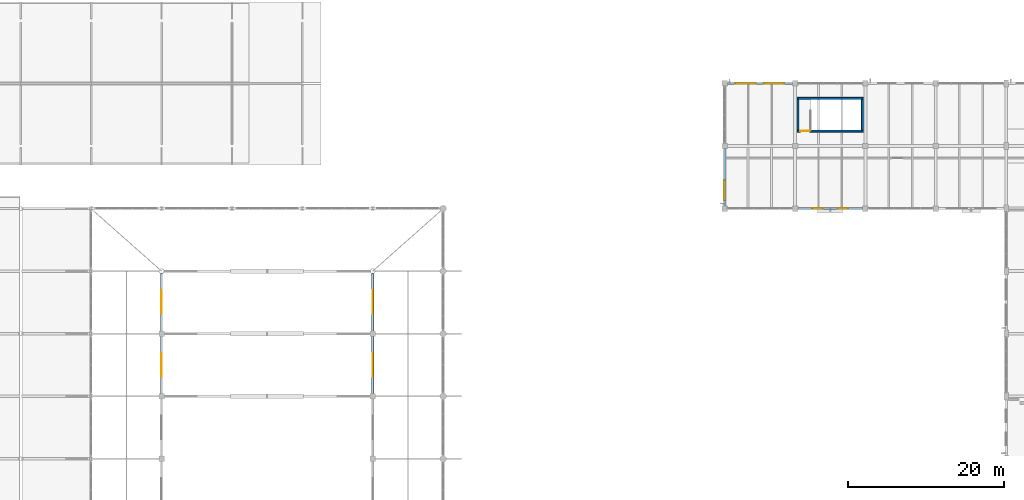
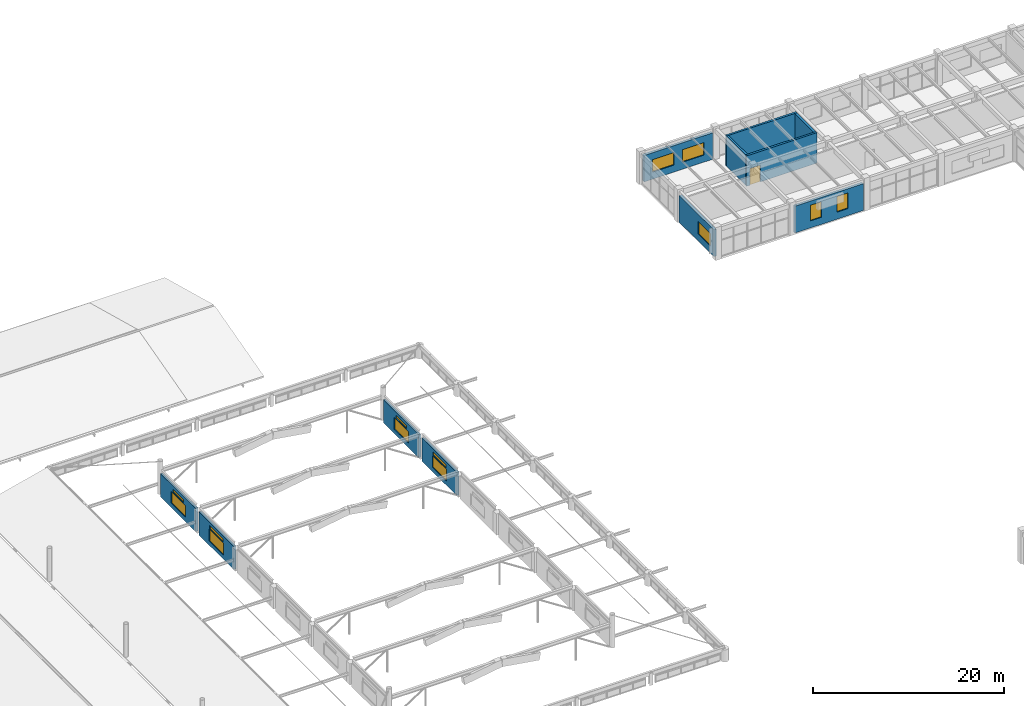
# One storey, part 110 of 128: 13 windows, 11 walls, 1 door, 14 openings.
"""IFC4 building model written with IfcOpenShell, lengths in metres."""

import ifcopenshell
import ifcopenshell.guid

model = None  # the IFC model being written
_history = None  # IfcOwnerHistory: only IFC2X3 demands one
_inside = {}  # id of a spatial element -> (the spatial element, [elements in it])
_under = {}  # id of a project, library or spatial element -> (it, [spatial elements below it])
_declared = {}  # id of a project -> (the project, [libraries it declares])
_typed = {}  # id of a type object -> (the type object, [elements of that type])
_made_of = {}  # id of a material, layer set ... -> (it, [elements and type objects made of it])


def new_model(schema):
    """Start an empty IFC model of exactly this schema.

    Asked for "IFC4X3", IfcOpenShell would pick the latest addendum, in which some entities
    have other attributes; the version numbers below select the first issue.
    IFC2X3 requires an IfcOwnerHistory on every rooted entity: one is made here for all.
    """
    global model, _history
    if schema == "IFC4X3":
        model = ifcopenshell.file(schema_version=(4, 3, 0, 0))
    else:
        model = ifcopenshell.file(schema=schema)
    _inside.clear()
    _under.clear()
    _declared.clear()
    _typed.clear()
    _made_of.clear()
    _history = None
    if model.schema == "IFC2X3":
        org = make("IfcOrganization", Name="unknown")
        user = make(
            "IfcPersonAndOrganization",
            ThePerson=make("IfcPerson", FamilyName="unknown"),
            TheOrganization=org,
        )
        app = make(
            "IfcApplication",
            ApplicationDeveloper=org,
            Version="unknown",
            ApplicationFullName="unknown",
            ApplicationIdentifier="unknown",
        )
        _history = make(
            "IfcOwnerHistory",
            OwningUser=user,
            OwningApplication=app,
            ChangeAction="ADDED",
            CreationDate=0,
        )
    return model


def make(cls, **values):
    """One entity of the class cls with the attributes given. An attribute that is None is left unset."""
    return model.create_entity(
        cls, **{name: value for name, value in values.items() if value is not None}
    )


def rooted(cls, **values):
    """An entity with a GlobalId (a new one), such as an element, a storey or a relation."""
    return make(cls, GlobalId=ifcopenshell.guid.new(), OwnerHistory=_history, **values)


def si_unit(unit_type, name, prefix=None):
    """IfcSIUnit, for example si_unit("LENGTHUNIT", "METRE", prefix="MILLI")."""
    return make("IfcSIUnit", UnitType=unit_type, Prefix=prefix, Name=name)


def derived_unit(unit_type, elements):
    """IfcDerivedUnit: a product of units, each with its exponent."""
    return make(
        "IfcDerivedUnit",
        Elements=[
            make("IfcDerivedUnitElement", Unit=unit, Exponent=power)
            for unit, power in elements
        ],
        UnitType=unit_type,
    )


def assignment(units):
    """IfcUnitAssignment: the units of a project."""
    return None if units is None else make("IfcUnitAssignment", Units=units)


def point(xyz):
    """IfcCartesianPoint."""
    return None if xyz is None else make("IfcCartesianPoint", Coordinates=xyz)


def direction(xyz):
    """IfcDirection."""
    return None if xyz is None else make("IfcDirection", DirectionRatios=xyz)


def frame(location, z_axis=None, x_axis=None):
    """IfcAxis2Placement3D, a coordinate frame: its origin and axes. An axis left out is left unset."""
    return make(
        "IfcAxis2Placement3D",
        Location=point(location),
        Axis=direction(z_axis),
        RefDirection=direction(x_axis),
    )


def frame_2d(location, x_axis=None):
    """IfcAxis2Placement2D, a coordinate frame in the plane: its origin and x axis."""
    return make(
        "IfcAxis2Placement2D", Location=point(location), RefDirection=direction(x_axis)
    )


def origin():
    """The frame at (0, 0, 0) with its axes left unset."""
    return frame((0.0, 0.0, 0.0))


def place(relative_to, where):
    """IfcLocalPlacement: puts the frame where relative to a parent placement (None: the world)."""
    return make(
        "IfcLocalPlacement", PlacementRelTo=relative_to, RelativePlacement=where
    )


def context(
    kind, dimensions, precision=None, world=None, true_north=None, identifier=None
):
    """IfcGeometricRepresentationContext, for example the 3D "Model" context."""
    return make(
        "IfcGeometricRepresentationContext",
        ContextIdentifier=identifier,
        ContextType=kind,
        CoordinateSpaceDimension=dimensions,
        Precision=precision,
        WorldCoordinateSystem=world,
        TrueNorth=true_north,
    )


def subcontext(parent, identifier, kind, view, scale=None):
    """IfcGeometricRepresentationSubContext, for example "Body" below "Model"."""
    return make(
        "IfcGeometricRepresentationSubContext",
        ContextIdentifier=identifier,
        ContextType=kind,
        ParentContext=parent,
        TargetScale=scale,
        TargetView=view,
    )


def project(units=None, contexts=None):
    """IfcProject with its units and contexts."""
    return rooted(
        "IfcProject",
        Name="project",
        RepresentationContexts=contexts,
        UnitsInContext=assignment(units),
    )


def spatial(cls, under=None, at=None, **own):
    """A site, building, storey or space (cls), placed at a placement, below another one or the project."""
    s = rooted(cls, ObjectPlacement=at, **own)
    if under is not None:
        _under.setdefault(under.id(), (under, []))[1].append(s)
    return s


def profile(cls, at=None, kind="AREA", **sizes):
    """A parametric profile (cls). Its sizes go by their IFC names, for example OverallWidth=200.0."""
    return make(cls, ProfileType=kind, Position=at, **sizes)


def rectangle(**sizes):
    """IfcRectangleProfileDef."""
    return profile("IfcRectangleProfileDef", **sizes)


def extrude(swept, where, along, depth):
    """IfcExtrudedAreaSolid: the profile swept, set in the frame where, extruded along a direction by depth."""
    return make(
        "IfcExtrudedAreaSolid",
        SweptArea=swept,
        Position=where,
        ExtrudedDirection=direction(along),
        Depth=depth,
    )


def shape(context_of_items, identifier, shape_type, items):
    """IfcShapeRepresentation: the items that make up one representation, for example the "Body"."""
    return make(
        "IfcShapeRepresentation",
        ContextOfItems=context_of_items,
        RepresentationIdentifier=identifier,
        RepresentationType=shape_type,
        Items=items,
    )


def material(Name=None, Category=None):
    """IfcMaterial."""
    return make("IfcMaterial", Name=Name, Category=Category)


def layer(
    of_material, thickness, ventilated=None, Name=None, Category=None, Priority=None
):
    """IfcMaterialLayer: one layer of a wall or slab, of a material (None: an air gap)."""
    return make(
        "IfcMaterialLayer",
        Material=of_material,
        LayerThickness=thickness,
        IsVentilated=ventilated,
        Name=Name,
        Category=Category,
        Priority=Priority,
    )


def layer_set(layers, Name=None):
    """IfcMaterialLayerSet."""
    return make("IfcMaterialLayerSet", MaterialLayers=layers, LayerSetName=Name)


def made_of(thing, what):
    """Note that an element or type object is made of a material, layer set ...; save() writes the relation."""
    if what is not None:
        _made_of.setdefault(what.id(), (what, []))[1].append(thing)
    return thing


def type_object(cls, material=None, **own):
    """A type object (cls), such as IfcWallType, which elements share."""
    return made_of(rooted(cls, **own), material)


def element(
    cls,
    number,
    at=None,
    inside=None,
    cuts=None,
    type_object=None,
    material=None,
    context=None,
    identifier="Body",
    shape_type=None,
    held_by="IfcProductDefinitionShape",
    body=None,
    shapes=None,
    **own,
):
    """One element of the class cls, such as IfcWall. Its Tag is "e" and its number.

    at: its placement. inside: the storey or other place that contains it. cuts: it is an
    opening in that element (IfcRelVoidsElement). A single representation is given by context,
    identifier, shape_type and body (its items); several are given by shapes. held_by: the class
    of the entity that holds the representations. save() writes the other relations.
    """
    e = rooted(cls, Tag="e%d" % number, ObjectPlacement=at, **own)
    if body is not None:
        shapes = [shape(context, identifier, shape_type, body)]
    if shapes is not None:
        e.Representation = make(held_by, Representations=shapes)
    if inside is not None:
        _inside.setdefault(inside.id(), (inside, []))[1].append(e)
    if cuts is not None:
        rooted(
            "IfcRelVoidsElement", RelatingBuildingElement=cuts, RelatedOpeningElement=e
        )
    if type_object is not None:
        _typed.setdefault(type_object.id(), (type_object, []))[1].append(e)
    return made_of(e, material)


def fill(opening, filler):
    """IfcRelFillsElement: the door or window that sits in an opening."""
    return rooted(
        "IfcRelFillsElement",
        RelatingOpeningElement=opening,
        RelatedBuildingElement=filler,
    )


def aggregate(whole, parts):
    """IfcRelAggregates: a whole, such as a stair, and the parts it consists of."""
    return rooted("IfcRelAggregates", RelatingObject=whole, RelatedObjects=parts)


def save(model, path):
    """Write the relations noted so far, then the file.

    IfcRelAggregates (storeys below a building ...), IfcRelContainedInSpatialStructure (elements
    in a storey), IfcRelDefinesByType, IfcRelAssociatesMaterial and IfcRelDeclares: one each for
    every whole, place, type object, material and project.
    """
    for whole, parts in _under.values():
        aggregate(whole, parts)
    for where, things in _inside.values():
        rooted(
            "IfcRelContainedInSpatialStructure",
            RelatedElements=things,
            RelatingStructure=where,
        )
    for kind, things in _typed.values():
        rooted("IfcRelDefinesByType", RelatedObjects=things, RelatingType=kind)
    for what, things in _made_of.values():
        rooted("IfcRelAssociatesMaterial", RelatedObjects=things, RelatingMaterial=what)
    for by, libraries in _declared.values():
        rooted("IfcRelDeclares", RelatingContext=by, RelatedDefinitions=libraries)
    model.write(path)


model = new_model("IFC4")

# Units and contexts
model_context = context("Model", 3, precision=1e-05, world=origin(), true_north=direction((0.0, 1.0)))
body_context = subcontext(model_context, "Body", "Model", "MODEL_VIEW")
ifc_project = project(units=[si_unit("LENGTHUNIT", "METRE"), si_unit("AREAUNIT", "SQUARE_METRE"), si_unit("VOLUMEUNIT", "CUBIC_METRE"), si_unit("PLANEANGLEUNIT", "RADIAN"), si_unit("MASSUNIT", "GRAM", prefix="KILO"), derived_unit("THERMALTRANSMITTANCEUNIT", [(si_unit("MASSUNIT", "GRAM", prefix="KILO"), 1), (si_unit("TIMEUNIT", "SECOND"), -3), (si_unit("THERMODYNAMICTEMPERATUREUNIT", "KELVIN"), -1)])], contexts=[model_context])

# Site, building, storey
site_placement = place(None, origin())
site = spatial("IfcSite", under=ifc_project, at=site_placement, CompositionType="ELEMENT")
building_placement = place(site_placement, origin())
building = spatial("IfcBuilding", under=site, at=building_placement, Name="Zhenchuan Archway Interchange", CompositionType="ELEMENT")
storey_placement = place(building_placement, frame((0.0, 0.0, 14.39990234375)))
storey = spatial("IfcBuildingStorey", under=building, at=storey_placement, Name="L03", CompositionType="ELEMENT", Elevation=14.39990234375)

# Wall, openings, windows
ifc_material_1 = material(Name="Autoclaved Aerated Concrete Block", Category="concrete")
ifc_layer_1 = layer(ifc_material_1, 0.260009765625)
ifc_layer_set_1 = layer_set([ifc_layer_1], Name="Autoclaved Aerated Concrete Block")
wall_type_1 = type_object("IfcWallType", Name="EW_CLER_260", PredefinedType="STANDARD", material=ifc_layer_set_1)
wall_1_placement = place(storey_placement, frame((36.0, 64.347900390625, -0.27978515625), z_axis=(0.0, 0.0, 1.0), x_axis=(0.0, 1.0, 0.0)))
wall_1 = element("IfcWall", 1, at=wall_1_placement, inside=storey, type_object=wall_type_1, Name="Concourse raised clerestory wall W5", PredefinedType="STANDARD", context=body_context, shape_type="SweptSolid", body=[
    extrude(rectangle(XDim=7.30419921875, YDim=0.260009765625, at=frame_2d((3.652099609375, 0.0))), origin(), (0.0, 0.0, 1.0), 2.97998046875),
])
opening_1_placement = place(wall_1_placement, frame((2.152099609375, 0.0, 0.550048828125)))
opening_1 = element("IfcOpeningElement", 2, at=opening_1_placement, cuts=wall_1, Name="Opening W-10", PredefinedType="OPENING", context=body_context, shape_type="SweptSolid", body=[
    extrude(rectangle(XDim=3.0, YDim=1.5, at=frame_2d((1.5, 0.75))), frame((0.0, 0.14208984375, 0.0), z_axis=(0.0, -1.0, 0.0), x_axis=(1.0, 0.0, 0.0)), (0.0, 0.0, 1.0), 0.283935546875),
])
opening_2_placement = place(wall_1_placement, frame((2.251953125, 0.0, 2.14990234375)))
opening_2 = element("IfcOpeningElement", 3, at=opening_2_placement, cuts=wall_1, Name="Opening SK-01", PredefinedType="OPENING", context=body_context, shape_type="SweptSolid", body=[
    extrude(rectangle(XDim=2.800048828125, YDim=0.419921875, at=frame_2d((1.39990234375, 0.2099609375))), frame((0.0, 0.14208984375, 0.0), z_axis=(0.0, -1.0, 0.0), x_axis=(1.0, 0.0, 0.0)), (0.0, 0.0, 1.0), 0.283935546875),
])
ifc_material_2 = material(Name="Double Low-E Insulated Glazing", Category="glass")
window_type_1 = type_object("IfcWindowType", Name="SK_CLER_2800x1600", PartitioningType="SINGLE_PANEL", PredefinedType="SKYLIGHT", material=ifc_material_2)
window_1_placement = place(opening_2_placement, origin())
window_1 = element("IfcWindow", 4, at=window_1_placement, inside=storey, type_object=window_type_1, Name="Concourse upper clerestory skylight W5", OverallHeight=0.419921875, OverallWidth=2.800048828125, PartitioningType="SINGLE_PANEL", PredefinedType="SKYLIGHT", context=body_context, shape_type="SweptSolid", body=[
    extrude(rectangle(XDim=2.800048828125, YDim=0.419921875, at=frame_2d((1.39990234375, 0.2099609375))), frame((0.0, 0.030029296875, 0.0), z_axis=(0.0, -1.0, 0.0), x_axis=(1.0, 0.0, 0.0)), (0.0, 0.0, 1.0), 0.06005859375),
])
fill(opening_2, window_1)
window_type_2 = type_object("IfcWindowType", Name="WN_CLER_3000x1500", PartitioningType="SINGLE_PANEL", PredefinedType="WINDOW", material=ifc_material_2)
window_2_placement = place(opening_1_placement, origin())
window_2 = element("IfcWindow", 5, at=window_2_placement, inside=storey, type_object=window_type_2, Name="Concourse daylight clerestory window W5", OverallHeight=1.5, OverallWidth=3.0, PartitioningType="SINGLE_PANEL", PredefinedType="WINDOW", context=body_context, shape_type="SweptSolid", body=[
    extrude(rectangle(XDim=3.0, YDim=1.5, at=frame_2d((1.5, 0.75))), frame((0.0, 0.030029296875, 0.0), z_axis=(0.0, -1.0, 0.0), x_axis=(1.0, 0.0, 0.0)), (0.0, 0.0, 1.0), 0.06005859375),
])
fill(opening_1, window_2)

wall_2_placement = place(storey_placement, frame((36.0, 72.347900390625, -0.27978515625), z_axis=(0.0, 0.0, 1.0), x_axis=(0.0, 1.0, 0.0)))
wall_2 = element("IfcWall", 6, at=wall_2_placement, inside=storey, type_object=wall_type_1, Name="Concourse raised clerestory wall W6", PredefinedType="STANDARD", context=body_context, shape_type="SweptSolid", body=[
    extrude(rectangle(XDim=7.35009765625, YDim=0.260009765625, at=frame_2d((3.675048828125, 0.0))), origin(), (0.0, 0.0, 1.0), 2.97998046875),
])
opening_3_placement = place(wall_2_placement, frame((2.175048828125, 0.0, 0.550048828125)))
opening_3 = element("IfcOpeningElement", 7, at=opening_3_placement, cuts=wall_2, Name="Opening W-10", PredefinedType="OPENING", context=body_context, shape_type="SweptSolid", body=[
    extrude(rectangle(XDim=3.0, YDim=1.5, at=frame_2d((1.5, 0.75))), frame((0.0, 0.14208984375, 0.0), z_axis=(0.0, -1.0, 0.0), x_axis=(1.0, 0.0, 0.0)), (0.0, 0.0, 1.0), 0.283935546875),
])
opening_4_placement = place(wall_2_placement, frame((2.574951171875, 0.0, 2.14990234375)))
opening_4 = element("IfcOpeningElement", 8, at=opening_4_placement, cuts=wall_2, Name="Opening SK-02", PredefinedType="OPENING", context=body_context, shape_type="SweptSolid", body=[
    extrude(rectangle(XDim=2.199951171875, YDim=0.419921875, at=frame_2d((1.10009765625, 0.2099609375))), frame((0.0, 0.14208984375, 0.0), z_axis=(0.0, -1.0, 0.0), x_axis=(1.0, 0.0, 0.0)), (0.0, 0.0, 1.0), 0.283935546875),
])
window_type_3 = type_object("IfcWindowType", Name="SK_CLER_2200x1400", PartitioningType="SINGLE_PANEL", PredefinedType="SKYLIGHT", material=ifc_material_2)
window_3_placement = place(opening_4_placement, origin())
window_3 = element("IfcWindow", 9, at=window_3_placement, inside=storey, type_object=window_type_3, Name="Concourse upper clerestory skylight W6", OverallHeight=0.419921875, OverallWidth=2.199951171875, PartitioningType="SINGLE_PANEL", PredefinedType="SKYLIGHT", context=body_context, shape_type="SweptSolid", body=[
    extrude(rectangle(XDim=2.199951171875, YDim=0.419921875, at=frame_2d((1.10009765625, 0.2099609375))), frame((0.0, 0.030029296875, 0.0), z_axis=(0.0, -1.0, 0.0), x_axis=(1.0, 0.0, 0.0)), (0.0, 0.0, 1.0), 0.06005859375),
])
fill(opening_4, window_3)
window_4_placement = place(opening_3_placement, origin())
window_4 = element("IfcWindow", 10, at=window_4_placement, inside=storey, type_object=window_type_2, Name="Concourse daylight clerestory window W6", OverallHeight=1.5, OverallWidth=3.0, PartitioningType="SINGLE_PANEL", PredefinedType="WINDOW", context=body_context, shape_type="SweptSolid", body=[
    extrude(rectangle(XDim=3.0, YDim=1.5, at=frame_2d((1.5, 0.75))), frame((0.0, 0.030029296875, 0.0), z_axis=(0.0, -1.0, 0.0), x_axis=(1.0, 0.0, 0.0)), (0.0, 0.0, 1.0), 0.06005859375),
])
fill(opening_3, window_4)

wall_3_placement = place(storey_placement, frame((63.0, 71.652099609375, -0.27978515625), z_axis=(0.0, 0.0, 1.0), x_axis=(0.0, -1.0, 0.0)))
wall_3 = element("IfcWall", 11, at=wall_3_placement, inside=storey, type_object=wall_type_1, Name="Concourse raised clerestory wall E5", PredefinedType="STANDARD", context=body_context, shape_type="SweptSolid", body=[
    extrude(rectangle(XDim=7.30419921875, YDim=0.260009765625, at=frame_2d((3.652099609375, 0.0))), origin(), (0.0, 0.0, 1.0), 2.97998046875),
])
opening_5_placement = place(wall_3_placement, frame((2.152099609375, 0.0, 0.550048828125)))
opening_5 = element("IfcOpeningElement", 12, at=opening_5_placement, cuts=wall_3, Name="Opening W-10", PredefinedType="OPENING", context=body_context, shape_type="SweptSolid", body=[
    extrude(rectangle(XDim=3.0, YDim=1.5, at=frame_2d((1.5, 0.75))), frame((0.0, 0.14208984375, 0.0), z_axis=(0.0, -1.0, 0.0), x_axis=(1.0, 0.0, 0.0)), (0.0, 0.0, 1.0), 0.283935546875),
])
opening_6_placement = place(wall_3_placement, frame((2.251953125, 0.0, 2.14990234375)))
opening_6 = element("IfcOpeningElement", 13, at=opening_6_placement, cuts=wall_3, Name="Opening SK-01", PredefinedType="OPENING", context=body_context, shape_type="SweptSolid", body=[
    extrude(rectangle(XDim=2.800048828125, YDim=0.419921875, at=frame_2d((1.39990234375, 0.2099609375))), frame((0.0, 0.14208984375, 0.0), z_axis=(0.0, -1.0, 0.0), x_axis=(1.0, 0.0, 0.0)), (0.0, 0.0, 1.0), 0.283935546875),
])
window_5_placement = place(opening_6_placement, origin())
window_5 = element("IfcWindow", 14, at=window_5_placement, inside=storey, type_object=window_type_1, Name="Concourse upper clerestory skylight E5", OverallHeight=0.419921875, OverallWidth=2.800048828125, PartitioningType="SINGLE_PANEL", PredefinedType="SKYLIGHT", context=body_context, shape_type="SweptSolid", body=[
    extrude(rectangle(XDim=2.800048828125, YDim=0.419921875, at=frame_2d((1.39990234375, 0.2099609375))), frame((0.0, 0.030029296875, 0.0), z_axis=(0.0, -1.0, 0.0), x_axis=(1.0, 0.0, 0.0)), (0.0, 0.0, 1.0), 0.06005859375),
])
fill(opening_6, window_5)
window_6_placement = place(opening_5_placement, origin())
window_6 = element("IfcWindow", 15, at=window_6_placement, inside=storey, type_object=window_type_2, Name="Concourse daylight clerestory window E5", OverallHeight=1.5, OverallWidth=3.0, PartitioningType="SINGLE_PANEL", PredefinedType="WINDOW", context=body_context, shape_type="SweptSolid", body=[
    extrude(rectangle(XDim=3.0, YDim=1.5, at=frame_2d((1.5, 0.75))), frame((0.0, 0.030029296875, 0.0), z_axis=(0.0, -1.0, 0.0), x_axis=(1.0, 0.0, 0.0)), (0.0, 0.0, 1.0), 0.06005859375),
])
fill(opening_5, window_6)

wall_4_placement = place(storey_placement, frame((63.0, 79.697998046875, -0.27978515625), z_axis=(0.0, 0.0, 1.0), x_axis=(0.0, -1.0, 0.0)))
wall_4 = element("IfcWall", 16, at=wall_4_placement, inside=storey, type_object=wall_type_1, Name="Concourse raised clerestory wall E6", PredefinedType="STANDARD", context=body_context, shape_type="SweptSolid", body=[
    extrude(rectangle(XDim=7.35009765625, YDim=0.260009765625, at=frame_2d((3.675048828125, 0.0))), origin(), (0.0, 0.0, 1.0), 2.97998046875),
])
opening_7_placement = place(wall_4_placement, frame((2.175048828125, 0.0, 0.550048828125)))
opening_7 = element("IfcOpeningElement", 17, at=opening_7_placement, cuts=wall_4, Name="Opening W-10", PredefinedType="OPENING", context=body_context, shape_type="SweptSolid", body=[
    extrude(rectangle(XDim=3.0, YDim=1.5, at=frame_2d((1.5, 0.75))), frame((0.0, 0.14208984375, 0.0), z_axis=(0.0, -1.0, 0.0), x_axis=(1.0, 0.0, 0.0)), (0.0, 0.0, 1.0), 0.283935546875),
])
opening_8_placement = place(wall_4_placement, frame((2.574951171875, 0.0, 2.14990234375)))
opening_8 = element("IfcOpeningElement", 18, at=opening_8_placement, cuts=wall_4, Name="Opening SK-02", PredefinedType="OPENING", context=body_context, shape_type="SweptSolid", body=[
    extrude(rectangle(XDim=2.199951171875, YDim=0.419921875, at=frame_2d((1.10009765625, 0.2099609375))), frame((0.0, 0.14208984375, 0.0), z_axis=(0.0, -1.0, 0.0), x_axis=(1.0, 0.0, 0.0)), (0.0, 0.0, 1.0), 0.283935546875),
])
window_7_placement = place(opening_8_placement, origin())
window_7 = element("IfcWindow", 19, at=window_7_placement, inside=storey, type_object=window_type_3, Name="Concourse upper clerestory skylight E6", OverallHeight=0.419921875, OverallWidth=2.199951171875, PartitioningType="SINGLE_PANEL", PredefinedType="SKYLIGHT", context=body_context, shape_type="SweptSolid", body=[
    extrude(rectangle(XDim=2.199951171875, YDim=0.419921875, at=frame_2d((1.10009765625, 0.2099609375))), frame((0.0, 0.030029296875, 0.0), z_axis=(0.0, -1.0, 0.0), x_axis=(1.0, 0.0, 0.0)), (0.0, 0.0, 1.0), 0.06005859375),
])
fill(opening_8, window_7)
window_8_placement = place(opening_7_placement, origin())
window_8 = element("IfcWindow", 20, at=window_8_placement, inside=storey, type_object=window_type_2, Name="Concourse daylight clerestory window E6", OverallHeight=1.5, OverallWidth=3.0, PartitioningType="SINGLE_PANEL", PredefinedType="WINDOW", context=body_context, shape_type="SweptSolid", body=[
    extrude(rectangle(XDim=3.0, YDim=1.5, at=frame_2d((1.5, 0.75))), frame((0.0, 0.030029296875, 0.0), z_axis=(0.0, -1.0, 0.0), x_axis=(1.0, 0.0, 0.0)), (0.0, 0.0, 1.0), 0.06005859375),
])
fill(opening_7, window_8)

ifc_material_3 = material(Name="Terracotta Masonry", Category="masonry")
ifc_layer_2 = layer(ifc_material_3, 0.300048828125)
ifc_layer_set_2 = layer_set([ifc_layer_2], Name="Terracotta Masonry")
wall_type_2 = type_object("IfcWallType", Name="EW_TERRA_300", PredefinedType="STANDARD", material=ifc_layer_set_2)
wall_5_placement = place(storey_placement, frame((125.652099609375, 88.0, 0.0), z_axis=(0.0, 0.0, 1.0), x_axis=(-1.0, 0.0, 0.0)))
wall_5 = element("IfcWall", 21, at=wall_5_placement, inside=storey, type_object=wall_type_2, Name="Exterior wall L03-015", PredefinedType="STANDARD", context=body_context, shape_type="SweptSolid", body=[
    extrude(rectangle(XDim=8.30419921875, YDim=0.300048828125, at=frame_2d((4.152099609375, 0.0))), origin(), (0.0, 0.0, 1.0), 3.440185546875),
])
opening_9_placement = place(wall_5_placement, frame((1.867919921875, 0.0, 0.89990234375)))
opening_9 = element("IfcOpeningElement", 22, at=opening_9_placement, cuts=wall_5, Name="Opening W-06", PredefinedType="OPENING", context=body_context, shape_type="SweptSolid", body=[
    extrude(rectangle(XDim=1.35009765625, YDim=2.0, at=frame_2d((0.675048828125, 1.0))), frame((0.0, 0.162109375, 0.0), z_axis=(0.0, -1.0, 0.0), x_axis=(1.0, 0.0, 0.0)), (0.0, 0.0, 1.0), 0.323974609375),
])
opening_10_placement = place(wall_5_placement, frame((5.0859375, 0.0, 0.89990234375)))
opening_10 = element("IfcOpeningElement", 23, at=opening_10_placement, cuts=wall_5, Name="Opening W-06", PredefinedType="OPENING", context=body_context, shape_type="SweptSolid", body=[
    extrude(rectangle(XDim=1.35009765625, YDim=2.0, at=frame_2d((0.675048828125, 1.0))), frame((0.0, 0.162109375, 0.0), z_axis=(0.0, -1.0, 0.0), x_axis=(1.0, 0.0, 0.0)), (0.0, 0.0, 1.0), 0.323974609375),
])
window_type_4 = type_object("IfcWindowType", Name="WN_MOD_1350x2000", PartitioningType="SINGLE_PANEL", PredefinedType="WINDOW", material=ifc_material_2)
window_9_placement = place(opening_9_placement, origin())
window_9 = element("IfcWindow", 24, at=window_9_placement, inside=storey, type_object=window_type_4, Name="Window L03-0278", OverallHeight=2.0, OverallWidth=1.35009765625, PartitioningType="SINGLE_PANEL", PredefinedType="WINDOW", context=body_context, shape_type="SweptSolid", body=[
    extrude(rectangle(XDim=1.35009765625, YDim=2.0, at=frame_2d((0.675048828125, 1.0))), frame((0.0, 0.030029296875, 0.0), z_axis=(0.0, -1.0, 0.0), x_axis=(1.0, 0.0, 0.0)), (0.0, 0.0, 1.0), 0.06005859375),
])
fill(opening_9, window_9)
window_10_placement = place(opening_10_placement, origin())
window_10 = element("IfcWindow", 25, at=window_10_placement, inside=storey, type_object=window_type_4, Name="Window L03-0279", OverallHeight=2.0, OverallWidth=1.35009765625, PartitioningType="SINGLE_PANEL", PredefinedType="WINDOW", context=body_context, shape_type="SweptSolid", body=[
    extrude(rectangle(XDim=1.35009765625, YDim=2.0, at=frame_2d((0.675048828125, 1.0))), frame((0.0, 0.030029296875, 0.0), z_axis=(0.0, -1.0, 0.0), x_axis=(1.0, 0.0, 0.0)), (0.0, 0.0, 1.0), 0.06005859375),
])
fill(opening_10, window_10)

# Wall, opening, window
wall_6_placement = place(storey_placement, frame((108.0, 88.347900390625, 0.0), z_axis=(0.0, 0.0, 1.0), x_axis=(0.0, 1.0, 0.0)))
wall_6 = element("IfcWall", 26, at=wall_6_placement, inside=storey, type_object=wall_type_2, Name="Exterior wall L03-017", PredefinedType="STANDARD", context=body_context, shape_type="SweptSolid", body=[
    extrude(rectangle(XDim=7.30419921875, YDim=0.300048828125, at=frame_2d((3.652099609375, 0.0))), origin(), (0.0, 0.0, 1.0), 3.440185546875),
])
opening_11_placement = place(wall_6_placement, frame((0.701416015625, 0.0, 0.89990234375)))
opening_11 = element("IfcOpeningElement", 27, at=opening_11_placement, cuts=wall_6, Name="Opening W-09", PredefinedType="OPENING", context=body_context, shape_type="SweptSolid", body=[
    extrude(rectangle(XDim=2.60009765625, YDim=1.60009765625, at=frame_2d((1.300048828125, 0.800048828125))), frame((0.0, 0.162109375, 0.0), z_axis=(0.0, -1.0, 0.0), x_axis=(1.0, 0.0, 0.0)), (0.0, 0.0, 1.0), 0.323974609375),
])
window_type_5 = type_object("IfcWindowType", Name="WN_MOD_2600x1600", PartitioningType="SINGLE_PANEL", PredefinedType="WINDOW", material=ifc_material_2)
window_11_placement = place(opening_11_placement, origin())
window_11 = element("IfcWindow", 28, at=window_11_placement, inside=storey, type_object=window_type_5, Name="Window L03-0280", OverallHeight=1.60009765625, OverallWidth=2.60009765625, PartitioningType="SINGLE_PANEL", PredefinedType="WINDOW", context=body_context, shape_type="SweptSolid", body=[
    extrude(rectangle(XDim=2.60009765625, YDim=1.60009765625, at=frame_2d((1.300048828125, 0.800048828125))), frame((0.0, 0.030029296875, 0.0), z_axis=(0.0, -1.0, 0.0), x_axis=(1.0, 0.0, 0.0)), (0.0, 0.0, 1.0), 0.06005859375),
])
fill(opening_11, window_11)

# Wall, openings, windows
wall_7_placement = place(storey_placement, frame((108.347900390625, 104.0, 0.0), z_axis=(0.0, 0.0, 1.0), x_axis=(1.0, 0.0, 0.0)))
wall_7 = element("IfcWall", 29, at=wall_7_placement, inside=storey, type_object=wall_type_2, Name="Exterior wall L03-019", PredefinedType="STANDARD", context=body_context, shape_type="SweptSolid", body=[
    extrude(rectangle(XDim=8.30419921875, YDim=0.300048828125, at=frame_2d((4.152099609375, 0.0))), origin(), (0.0, 0.0, 1.0), 3.39013671875),
])
opening_12_placement = place(wall_7_placement, frame((1.03466796875, 0.0, 0.89990234375)))
opening_12 = element("IfcOpeningElement", 30, at=opening_12_placement, cuts=wall_7, Name="Opening W-09", PredefinedType="OPENING", context=body_context, shape_type="SweptSolid", body=[
    extrude(rectangle(XDim=2.60009765625, YDim=1.60009765625, at=frame_2d((1.300048828125, 0.800048828125))), frame((0.0, 0.162109375, 0.0), z_axis=(0.0, -1.0, 0.0), x_axis=(1.0, 0.0, 0.0)), (0.0, 0.0, 1.0), 0.323974609375),
])
opening_13_placement = place(wall_7_placement, frame((4.669189453125, 0.0, 0.89990234375)))
opening_13 = element("IfcOpeningElement", 31, at=opening_13_placement, cuts=wall_7, Name="Opening W-09", PredefinedType="OPENING", context=body_context, shape_type="SweptSolid", body=[
    extrude(rectangle(XDim=2.60009765625, YDim=1.60009765625, at=frame_2d((1.300048828125, 0.800048828125))), frame((0.0, 0.162109375, 0.0), z_axis=(0.0, -1.0, 0.0), x_axis=(1.0, 0.0, 0.0)), (0.0, 0.0, 1.0), 0.323974609375),
])
window_12_placement = place(opening_12_placement, origin())
window_12 = element("IfcWindow", 32, at=window_12_placement, inside=storey, type_object=window_type_5, Name="Window L03-0281", OverallHeight=1.60009765625, OverallWidth=2.60009765625, PartitioningType="SINGLE_PANEL", PredefinedType="WINDOW", context=body_context, shape_type="SweptSolid", body=[
    extrude(rectangle(XDim=2.60009765625, YDim=1.60009765625, at=frame_2d((1.300048828125, 0.800048828125))), frame((0.0, 0.030029296875, 0.0), z_axis=(0.0, -1.0, 0.0), x_axis=(1.0, 0.0, 0.0)), (0.0, 0.0, 1.0), 0.06005859375),
])
fill(opening_12, window_12)
window_13_placement = place(opening_13_placement, origin())
window_13 = element("IfcWindow", 33, at=window_13_placement, inside=storey, type_object=window_type_5, Name="Window L03-0282", OverallHeight=1.60009765625, OverallWidth=2.60009765625, PartitioningType="SINGLE_PANEL", PredefinedType="WINDOW", context=body_context, shape_type="SweptSolid", body=[
    extrude(rectangle(XDim=2.60009765625, YDim=1.60009765625, at=frame_2d((1.300048828125, 0.800048828125))), frame((0.0, 0.030029296875, 0.0), z_axis=(0.0, -1.0, 0.0), x_axis=(1.0, 0.0, 0.0)), (0.0, 0.0, 1.0), 0.06005859375),
])
fill(opening_13, window_13)

# Wall, opening, door
ifc_material_4 = material(Name="Concrete C40", Category="concrete")
ifc_layer_3 = layer(ifc_material_4, 0.25)
ifc_layer_set_3 = layer_set([ifc_layer_3], Name="Concrete C40")
wall_type_3 = type_object("IfcWallType", Name="WL_STAIR_250", PredefinedType="SHEAR", material=ifc_layer_set_3)
wall_8_placement = place(storey_placement, frame((117.2548828125, 97.89990234375, 0.0), z_axis=(0.0, 0.0, 1.0), x_axis=(1.0, 0.0, 0.0)))
wall_8 = element("IfcWall", 34, at=wall_8_placement, inside=storey, type_object=wall_type_3, Name="Stair ST-O6 south wall (L03)", PredefinedType="SHEAR", context=body_context, shape_type="SweptSolid", body=[
    extrude(rectangle(XDim=8.490234375, YDim=0.25, at=frame_2d((4.2451171875, 0.0))), origin(), (0.0, 0.0, 1.0), 3.900146484375),
])
opening_14_placement = place(wall_8_placement, frame((0.405029296875, 0.0, 0.0)))
opening_14 = element("IfcOpeningElement", 35, at=opening_14_placement, cuts=wall_8, Name="Opening FD-01", PredefinedType="OPENING", context=body_context, shape_type="SweptSolid", body=[
    extrude(rectangle(XDim=1.25, YDim=2.14990234375, at=frame_2d((0.625, 1.074951171875))), frame((0.0, 0.136962890625, 0.0), z_axis=(0.0, -1.0, 0.0), x_axis=(1.0, 0.0, 0.0)), (0.0, 0.0, 1.0), 0.27392578125),
])
ifc_material_5 = material(Name="Painted Galvanised Steel", Category="steel")
door_type = type_object("IfcDoorType", Name="DR_STAIR_FD90", OperationType="NOTDEFINED", PredefinedType="DOOR", material=ifc_material_5)
door_placement = place(opening_14_placement, origin())
door = element("IfcDoor", 36, at=door_placement, inside=storey, type_object=door_type, Name="Stair ST-O6 fire door (L03)", OperationType="SINGLE_SWING_LEFT", OverallHeight=2.14990234375, OverallWidth=1.25, PredefinedType="DOOR", context=body_context, shape_type="SweptSolid", body=[
    extrude(rectangle(XDim=1.25, YDim=2.14990234375, at=frame_2d((0.625, 1.074951171875))), frame((0.0, 0.02490234375, 0.0), z_axis=(0.0, -1.0, 0.0), x_axis=(1.0, 0.0, 0.0)), (0.0, 0.0, 1.0), 0.050048828125),
])
fill(opening_14, door)

# Walls
wall_9_placement = place(storey_placement, frame((125.7451171875, 102.10009765625, 0.0), z_axis=(0.0, 0.0, 1.0), x_axis=(-1.0, 0.0, 0.0)))
element("IfcWall", 37, at=wall_9_placement, inside=storey, type_object=wall_type_3, Name="Stair ST-O6 north wall (L03)", PredefinedType="SHEAR", context=body_context, shape_type="SweptSolid", body=[
    extrude(rectangle(XDim=8.490234375, YDim=0.25, at=frame_2d((4.2451171875, 0.0))), origin(), (0.0, 0.0, 1.0), 3.900146484375),
])
for number, where, z_axis, x_axis, name in (
    (38, (117.3798828125, 101.97509765625, 0.0), (0.0, 0.0, 1.0), (0.0, -1.0, 0.0), "Stair ST-O6 west wall (L03)"),
    (39, (125.6201171875, 98.02490234375, 0.0), (0.0, 0.0, 1.0), (0.0, 1.0, 0.0), "Stair ST-O6 east wall (L03)"),
):
    element("IfcWall", number, at=place(storey_placement, frame(where, z_axis=z_axis, x_axis=x_axis)), inside=storey, type_object=wall_type_3, Name=name, PredefinedType="SHEAR", context=body_context, shape_type="SweptSolid", body=[
        extrude(rectangle(XDim=3.9501953125, YDim=0.25, at=frame_2d((1.97509765625, 0.0))), origin(), (0.0, 0.0, 1.0), 3.900146484375),
    ])

save(model, "model.ifc")
